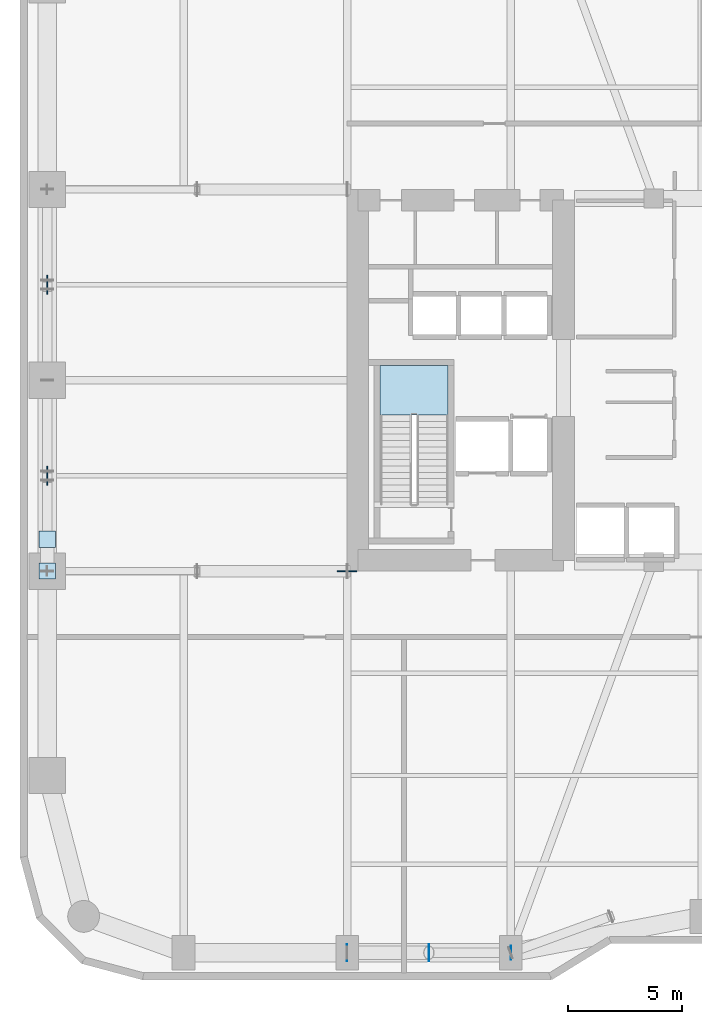
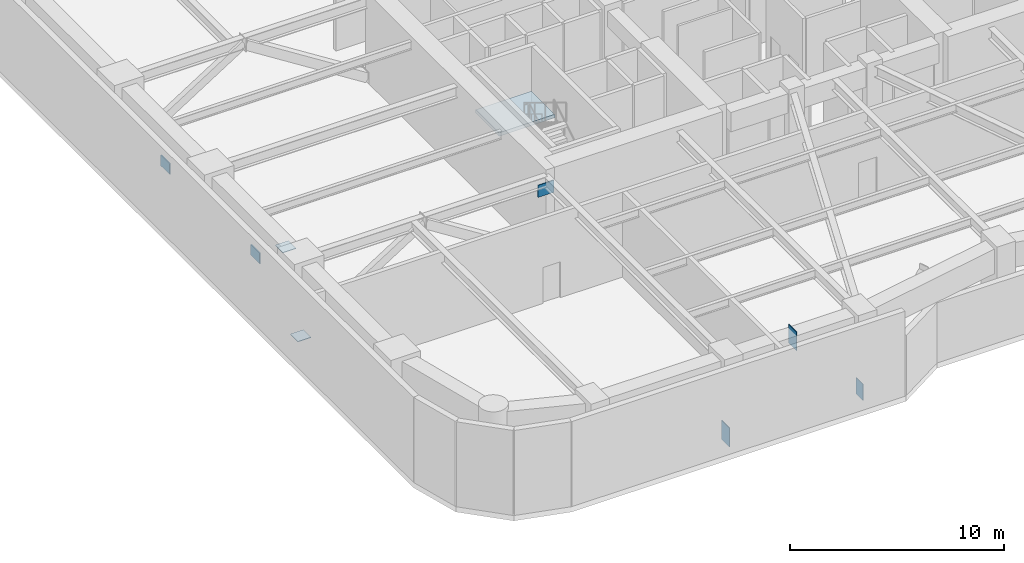
# One storey, part 3 of 16: 8 plates, 1 slab, 1 element without a shape of its own.
"""IFC4 building model written with IfcOpenShell, lengths in metres."""

from ifc_helpers import new_model, si_unit, direction, frame, origin, origin_2d, place, context, subcontext, project, spatial, polyline, rectangle, outline, extrude, material, layer, layer_set, type_object, element, aggregate, save


model = new_model("IFC4")

# Units and contexts
model_context = context("Model", 3, precision=1e-05, world=origin(), true_north=direction((0.0, 1.0)))
body_context = subcontext(model_context, "Body", "Model", "MODEL_VIEW")
ifc_project = project(units=[si_unit("LENGTHUNIT", "METRE"), si_unit("AREAUNIT", "SQUARE_METRE"), si_unit("VOLUMEUNIT", "CUBIC_METRE"), si_unit("PLANEANGLEUNIT", "RADIAN"), si_unit("MASSUNIT", "GRAM", prefix="KILO")], contexts=[model_context])

# Site, building, storey
site_placement = place(None, origin())
site = spatial("IfcSite", under=ifc_project, at=site_placement, CompositionType="ELEMENT")
building_placement = place(site_placement, origin())
building = spatial("IfcBuilding", under=site, at=building_placement, Name="Kiyonajd Concourse Tower", CompositionType="ELEMENT")
storey_placement = place(building_placement, frame((0.0, 0.0, 80.699951171875)))
storey = spatial("IfcBuildingStorey", under=building, at=storey_placement, Name="L21", CompositionType="ELEMENT", Elevation=80.699951171875)

# Plates
ifc_material_1 = material(Name="Steel ASTM A572 Grade 50", Category="steel")
ifc_layer_1 = layer(ifc_material_1, 0.028076171875)
ifc_layer_set_1 = layer_set([ifc_layer_1], Name="Steel ASTM A572 Grade 50")
plate_type_1 = type_object("IfcPlateType", Name="PL-CAP-450", PredefinedType="USERDEFINED", material=ifc_layer_set_1)
for number, where, z_axis, x_axis, name in (
    (1, (32.392822265625, 10.800048828125, -0.24609375), (0.0, 0.0, 1.0), (-1.0, 0.0, 0.0), "L21 Hollow Brace End Cap Plate PBS"),
    (2, (36.007080078125, 10.800048828125, 3.96044921875), (0.0, 0.0, 1.0), (1.0, 0.0, 0.0), "L21 Hollow Brace Top Cap Plate PBS"),
):
    element("IfcPlate", number, at=place(storey_placement, frame(where, z_axis=z_axis, x_axis=x_axis)), inside=storey, type_object=plate_type_1, Name=name, ObjectType="CAP PLATE", PredefinedType="USERDEFINED", context=body_context, shape_type="SweptSolid", body=[
        extrude(rectangle(XDim=0.035888671875, YDim=0.72998046875, at=origin_2d()), origin(), (0.0, 0.0, 1.0), 1.075927734375),
    ])
for number, where, z_axis, x_axis, name in (
    (3, (19.199951171875, 27.596435546875, 0.275390625), (0.0, 0.0, 1.0), (1.0, 0.0, 0.0), "L21 Hollow Brace End Cap Plate PBW"),
    (4, (19.199951171875, 29.00341796875, 4.486328125), (0.0, 0.0, 1.0), (1.0, 0.0, 0.0), "L21 Hollow Brace Top Cap Plate PBW"),
):
    element("IfcPlate", number, at=place(storey_placement, frame(where, z_axis=z_axis, x_axis=x_axis)), inside=storey, type_object=plate_type_1, Name=name, ObjectType="CAP PLATE", PredefinedType="USERDEFINED", context=body_context, shape_type="SweptSolid", body=[
        extrude(rectangle(XDim=0.7099609375, YDim=0.7099609375, at=origin_2d()), origin(), (0.0, 0.0, 1.0), 0.028076171875),
    ])
ifc_layer_2 = layer(ifc_material_1, 0.031982421875)
ifc_layer_set_2 = layer_set([ifc_layer_2], Name="Steel ASTM A572 Grade 50")
plate_type_2 = type_object("IfcPlateType", Name="PL-CAP-540", PredefinedType="USERDEFINED", material=ifc_layer_set_2)
plate_1_placement = place(storey_placement, frame((39.611083984375, 10.800048828125, -0.169921875), z_axis=(0.0, 0.0, 1.0), x_axis=(1.0, 0.0, 0.0)))
element("IfcPlate", 5, at=plate_1_placement, inside=storey, type_object=plate_type_2, Name="L21 Belt Chord Cap Plate", ObjectType="CAP PLATE", PredefinedType="USERDEFINED", context=body_context, shape_type="SweptSolid", body=[
    extrude(rectangle(XDim=0.035888671875, YDim=0.6201171875, at=origin_2d()), origin(), (0.0, 0.0, 1.0), 0.93994140625),
])
ifc_layer_3 = layer(ifc_material_1, 0.699951171875)
ifc_layer_set_3 = layer_set([ifc_layer_3], Name="Steel ASTM A572 Grade 50")
plate_type_3 = type_object("IfcPlateType", Name="PL-GUS-ON1", PredefinedType="USERDEFINED", material=ifc_layer_set_3)
plate_2_placement = place(storey_placement, frame((32.39990234375, 27.60009765625, 3.7001953125), z_axis=(0.0, 0.0, 1.0), x_axis=(1.0, 0.0, 0.0)))
element("IfcPlate", 6, at=plate_2_placement, inside=storey, type_object=plate_type_3, Name="Structural Node Assembly Gusset ON1", ObjectType="GUSSET PLATE", PredefinedType="USERDEFINED", context=body_context, shape_type="SweptSolid", body=[
    extrude(rectangle(XDim=0.85009765625, YDim=0.050048828125, at=origin_2d()), origin(), (0.0, 0.0, 1.0), 0.699951171875),
])
ifc_layer_4 = layer(ifc_material_1, 0.06005859375)
ifc_layer_set_4 = layer_set([ifc_layer_4], Name="Steel ASTM A572 Grade 50")
plate_type_4 = type_object("IfcPlateType", Name="PL-XNODE-60", PredefinedType="USERDEFINED", material=ifc_layer_set_4)
for number, where, z_axis, x_axis, name in (
    (7, (19.199951171875, 31.800048828125, 2.094970703125), (0.0, 0.0, 1.0), (1.0, 0.0, 0.0), "L21 Belt Truss X Brace Crossing Gusset Plate XN1 W1"),
    (8, (19.199951171875, 40.199951171875, 2.094970703125), (0.0, 0.0, 1.0), (1.0, 0.0, 0.0), "L21 Belt Truss X Brace Crossing Gusset Plate XN1 W2"),
):
    element("IfcPlate", number, at=place(storey_placement, frame(where, z_axis=z_axis, x_axis=x_axis)), inside=storey, type_object=plate_type_4, Name=name, ObjectType="GUSSET PLATE", PredefinedType="USERDEFINED", context=body_context, shape_type="SweptSolid", body=[
        extrude(rectangle(XDim=0.06005859375, YDim=0.840087890625, at=origin_2d()), origin(), (0.0, 0.0, 1.0), 0.60009765625),
    ])

# Stair, slab
ifc_material_2 = material(Name="Concrete C40/50", Category="concrete")
stair_type = type_object("IfcStairType", Name="ST-DLG-30R", PredefinedType="HALF_TURN_STAIR", material=ifc_material_2)
stair_placement = place(storey_placement, origin())
stair = element("IfcStair", 9, at=stair_placement, inside=storey, type_object=stair_type, Name="L21 Protected Exit Stair ST1", PredefinedType="HALF_TURN_STAIR")
ifc_layer_5 = layer(ifc_material_2, 0.199951171875)
ifc_layer_set_5 = layer_set([ifc_layer_5], Name="Concrete C40/50")
slab_type = type_object("IfcSlabType", Name="SL-LND-200", PredefinedType="LANDING", material=ifc_layer_set_5)
slab_placement = place(storey_placement, frame((0.0, 0.0, 2.35009765625)))
slab = element("IfcSlab", 10, at=slab_placement, type_object=slab_type, Name="ST1 landing 1", PredefinedType="LANDING", context=body_context, shape_type="SweptSolid", body=[
    extrude(outline(polyline([(36.85009765625, 34.469970703125), (36.85009765625, 36.64990234375), (33.85009765625, 36.64990234375), (33.85009765625, 34.469970703125), (36.85009765625, 34.469970703125)])), origin(), (0.0, 0.0, 1.0), 0.199951171875),
])
aggregate(stair, [slab])

save(model, "model.ifc")
